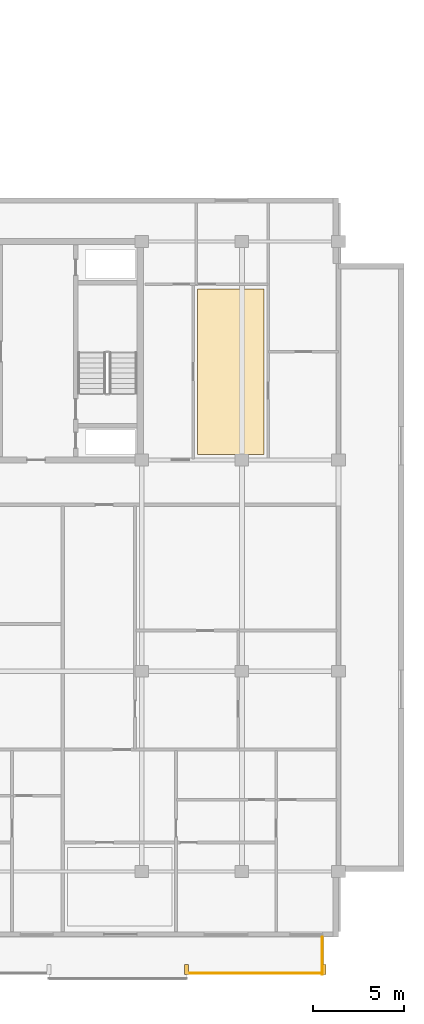
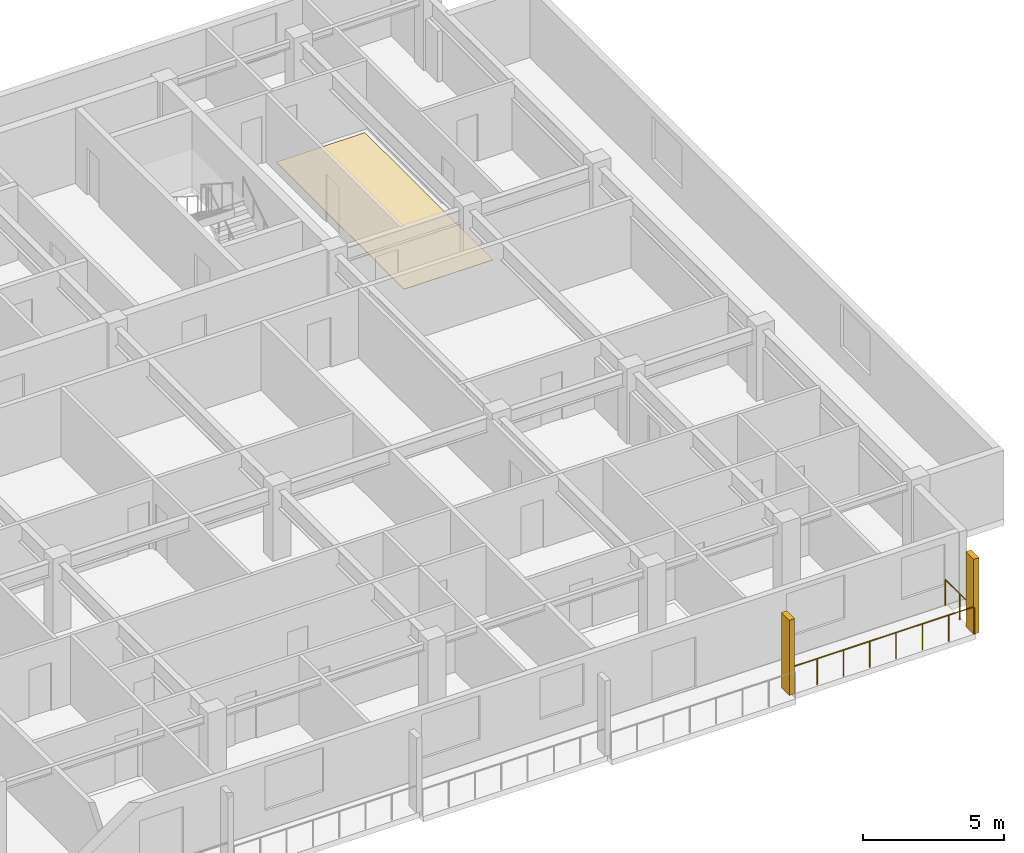
# One storey, part 21 of 24: 2 railings, 2 shading devices, 1 covering.
"""IFC4 building model written with IfcOpenShell, lengths in metres."""

from ifc_helpers import new_model, si_unit, direction, frame, origin, origin_2d, place, context, subcontext, project, spatial, polyline, rectangle, circle, outline, extrude, material, layer, layer_set, type_object, element, save


model = new_model("IFC4")

# Units and contexts
model_context = context("Model", 3, precision=1e-05, world=origin(), true_north=direction((0.0, 1.0)))
body_context = subcontext(model_context, "Body", "Model", "MODEL_VIEW")
ifc_project = project(units=[si_unit("LENGTHUNIT", "METRE"), si_unit("AREAUNIT", "SQUARE_METRE"), si_unit("VOLUMEUNIT", "CUBIC_METRE"), si_unit("PLANEANGLEUNIT", "RADIAN"), si_unit("MASSUNIT", "GRAM", prefix="KILO")], contexts=[model_context])

# Site, building, storey
site_placement = place(None, origin())
site = spatial("IfcSite", under=ifc_project, at=site_placement, CompositionType="ELEMENT")
building_placement = place(site_placement, origin())
building = spatial("IfcBuilding", under=site, at=building_placement, Name="Korimba Cascade Residences", CompositionType="ELEMENT")
storey_placement = place(building_placement, frame((0.0, 0.0, 168.60009765625)))
storey = spatial("IfcBuildingStorey", under=building, at=storey_placement, Name="L48", CompositionType="ELEMENT", Elevation=168.60009765625)

# Covering
ifc_material_1 = material(Name="Engineered Spotted-Gum Timber Flooring", Category="wood")
ifc_layer = layer(ifc_material_1, 0.02001953125)
ifc_layer_set = layer_set([ifc_layer], Name="Engineered Spotted-Gum Timber Flooring")
covering_type = type_object("IfcCoveringType", Name="COV-FLR-TIM", PredefinedType="FLOORING", material=ifc_layer_set)
covering_placement = place(storey_placement, origin())
element("IfcCovering", 1, at=covering_placement, inside=storey, type_object=covering_type, Name="L48 Spotted-Gum Timber Flooring L48-T2-FE-L", PredefinedType="FLOORING", context=body_context, shape_type="SweptSolid", body=[
    extrude(outline(polyline([(121.159912109375, 18.699951171875), (124.800048828125, 18.699951171875), (124.800048828125, 27.780029296875), (121.159912109375, 27.780029296875), (121.159912109375, 18.699951171875)])), origin(), (0.0, 0.0, 1.0), 0.02001953125),
])

# Railings
ifc_material_2 = material(Name="Laminated Glass and Bronze Balustrade", Category="glass")
railing_type = type_object("IfcRailingType", Name="RLG-LOG-1150", PredefinedType="BALUSTRADE", material=ifc_material_2)
railing_1_placement = place(storey_placement, frame((120.55712890625, -9.77001953125, 0.0)))
element("IfcRailing", 2, at=railing_1_placement, inside=storey, type_object=railing_type, Name="L48 Perimeter Guardrail RLG-L48-T2-LOG-06", PredefinedType="BALUSTRADE", context=body_context, shape_type="SweptSolid", body=[
    extrude(circle(Radius=0.02392578125, at=origin_2d()), frame((0.0, 0.0, 1.1259765625), z_axis=(1.0, 0.0, 0.0), x_axis=(0.0, 1.0, 0.0)), (0.0, 0.0, 1.0), 7.54296875),
    extrude(circle(Radius=0.02099609375, at=origin_2d()), origin(), (0.0, 0.0, 1.0), 1.101806640625),
    extrude(circle(Radius=0.02099609375, at=origin_2d()), frame((1.07763671875, 0.0, 0.0)), (0.0, 0.0, 1.0), 1.101806640625),
    extrude(circle(Radius=0.02099609375, at=origin_2d()), frame((2.155029296875, 0.0, 0.0)), (0.0, 0.0, 1.0), 1.101806640625),
    extrude(circle(Radius=0.02099609375, at=origin_2d()), frame((3.232666015625, 0.0, 0.0)), (0.0, 0.0, 1.0), 1.101806640625),
    extrude(circle(Radius=0.02099609375, at=origin_2d()), frame((4.310302734375, 0.0, 0.0)), (0.0, 0.0, 1.0), 1.101806640625),
    extrude(circle(Radius=0.02099609375, at=origin_2d()), frame((5.387939453125, 0.0, 0.0)), (0.0, 0.0, 1.0), 1.101806640625),
    extrude(circle(Radius=0.02099609375, at=origin_2d()), frame((6.46533203125, 0.0, 0.0)), (0.0, 0.0, 1.0), 1.101806640625),
    extrude(circle(Radius=0.02099609375, at=origin_2d()), frame((7.54296875, 0.0, 0.0)), (0.0, 0.0, 1.0), 1.101806640625),
])
railing_2_placement = place(storey_placement, frame((128.02001953125, -9.85009765625, 0.0)))
element("IfcRailing", 3, at=railing_2_placement, inside=storey, type_object=railing_type, Name="L48 Perimeter Guardrail RLG-L48-T2-LOG-07", PredefinedType="BALUSTRADE", context=body_context, shape_type="SweptSolid", body=[
    extrude(circle(Radius=0.02392578125, at=origin_2d()), frame((0.0, 0.0, 1.1259765625), z_axis=(0.0, 1.0, 0.0), x_axis=(-1.0, 0.0, 0.0)), (0.0, 0.0, 1.0), 2.050048828125),
    extrude(circle(Radius=0.02099609375, at=origin_2d()), origin(), (0.0, 0.0, 1.0), 1.101806640625),
    extrude(circle(Radius=0.02099609375, at=origin_2d()), frame((0.0, 1.02490234375, 0.0)), (0.0, 0.0, 1.0), 1.101806640625),
    extrude(circle(Radius=0.02099609375, at=origin_2d()), frame((0.0, 2.050048828125, 0.0)), (0.0, 0.0, 1.0), 1.101806640625),
])

# Shading devices
ifc_material_3 = material(Name="Honed Sandstone Precast Fin", Category="masonry")
shading_device_type = type_object("IfcShadingDeviceType", Name="SHD-FIN-550", PredefinedType="USERDEFINED", material=ifc_material_3)
for number, where, z_axis, x_axis, name in (
    (4, (120.55712890625, -9.574951171875, 0.0), (0.0, 0.0, 1.0), (1.0, 0.0, 0.0), "L48 T2 Warm-Stone Loggia Fin 7"),
    (5, (128.10009765625, -9.574951171875, 0.0), (0.0, 0.0, 1.0), (1.0, 0.0, 0.0), "L48 T2 Warm-Stone Loggia Fin 8"),
):
    element("IfcShadingDevice", number, at=place(storey_placement, frame(where, z_axis=z_axis, x_axis=x_axis)), inside=storey, type_object=shading_device_type, Name=name, ObjectType="FIN", PredefinedType="USERDEFINED", context=body_context, shape_type="SweptSolid", body=[
        extrude(rectangle(XDim=0.219970703125, YDim=0.550048828125, at=origin_2d()), origin(), (0.0, 0.0, 1.0), 3.25),
    ])

save(model, "model.ifc")
